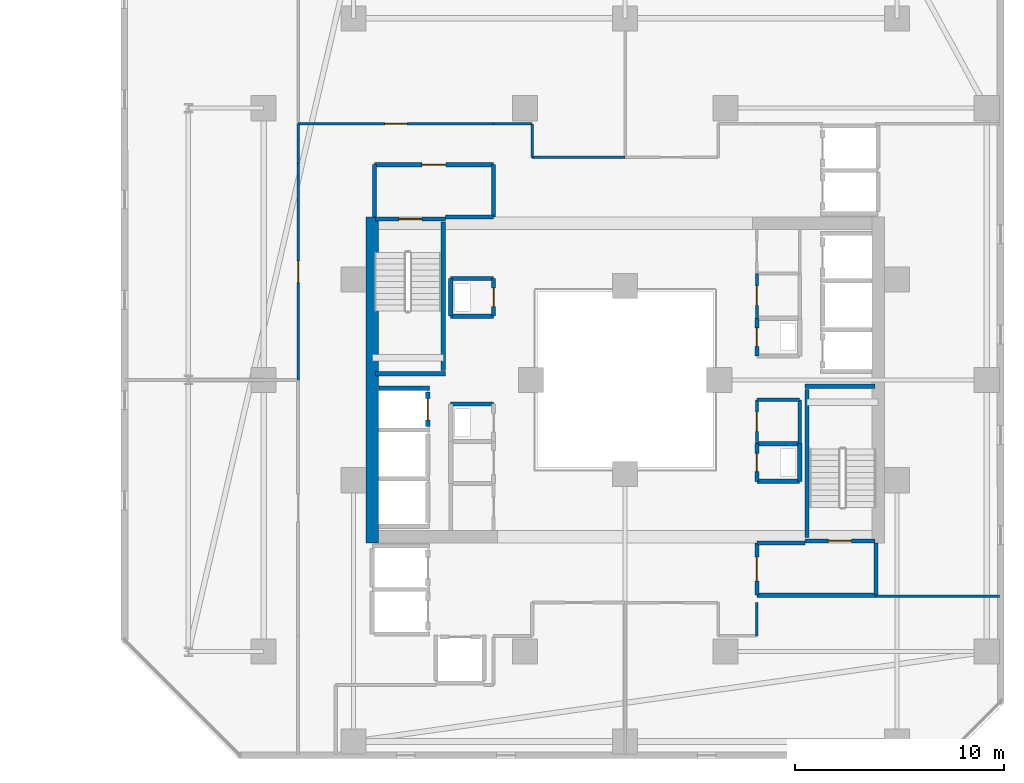
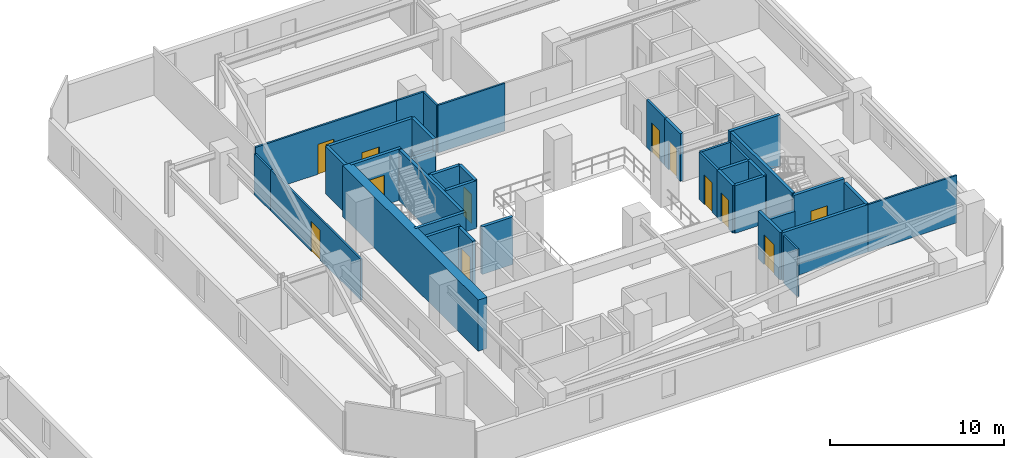
# One storey, part 21 of 29: 39 walls, 12 doors, 12 openings.
"""IFC4 building model written with IfcOpenShell, lengths in metres."""

from ifc_helpers import new_model, si_unit, direction, frame, frame_2d, origin, place, context, subcontext, project, spatial, rectangle, extrude, material, layer, layer_set, type_object, element, fill, save


model = new_model("IFC4")

# Units and contexts
model_context = context("Model", 3, precision=1e-05, world=origin(), true_north=direction((0.0, 1.0)))
body_context = subcontext(model_context, "Body", "Model", "MODEL_VIEW")
ifc_project = project(units=[si_unit("LENGTHUNIT", "METRE"), si_unit("AREAUNIT", "SQUARE_METRE"), si_unit("VOLUMEUNIT", "CUBIC_METRE"), si_unit("PLANEANGLEUNIT", "RADIAN"), si_unit("MASSUNIT", "GRAM", prefix="KILO")], contexts=[model_context])

# Site, building, storey
site_placement = place(None, origin())
site = spatial("IfcSite", under=ifc_project, at=site_placement, CompositionType="ELEMENT")
building_placement = place(site_placement, origin())
building = spatial("IfcBuilding", under=site, at=building_placement, Name="Thornwick Lancets Civic Towers", CompositionType="ELEMENT")
storey_placement = place(building_placement, frame((0.0, 0.0, 83.699951171875)))
storey = spatial("IfcBuildingStorey", under=building, at=storey_placement, Name="L21", CompositionType="ELEMENT", Elevation=83.699951171875)

# Wall, opening, door
ifc_material_1 = material(Name="Concrete blockwork C40/50", Category="masonry")
ifc_layer_1 = layer(ifc_material_1, 0.199951171875, Name="Concrete blockwork C40/50")
ifc_layer_set_1 = layer_set([ifc_layer_1], Name="Concrete blockwork C40/50")
wall_type_1 = type_object("IfcWallType", Name="WALL_COMP_200", PredefinedType="STANDARD", material=ifc_layer_set_1)
wall_1_placement = place(storey_placement, frame((79.050048828125, 24.780029296875, 0.0), z_axis=(0.0, 0.0, 1.0), x_axis=(0.0, 1.0, 0.0)))
wall_1 = element("IfcWall", 1, at=wall_1_placement, inside=storey, type_object=wall_type_1, Name="L21 Hoistway Front Wall FL-B2", PredefinedType="STANDARD", context=body_context, shape_type="SweptSolid", body=[
    extrude(rectangle(XDim=1.639892578125, YDim=0.199951171875, at=frame_2d((0.81982421875, 0.0))), origin(), (0.0, 0.0, 1.0), 3.340087890625),
])
opening_1_placement = place(wall_1_placement, frame((0.31005859375, 0.0, 0.0)))
opening_1 = element("IfcOpeningElement", 2, at=opening_1_placement, cuts=wall_1, Name="Opening LD-FL-B2", PredefinedType="OPENING", context=body_context, shape_type="SweptSolid", body=[
    extrude(rectangle(XDim=1.02001953125, YDim=2.06005859375, at=frame_2d((0.510009765625, 1.030029296875))), frame((0.0, 0.10986328125, 0.0), z_axis=(0.0, -1.0, 0.0), x_axis=(1.0, 0.0, 0.0)), (0.0, 0.0, 1.0), 0.219970703125),
])
ifc_material_2 = material(Name="Brushed bronze stainless steel", Category="steel")
door_type_1 = type_object("IfcDoorType", Name="DOOR_LIFT_SLIDE", OperationType="SLIDING_TO_LEFT", PredefinedType="DOOR", material=ifc_material_2)
door_1_placement = place(opening_1_placement, origin())
door_1 = element("IfcDoor", 3, at=door_1_placement, inside=storey, type_object=door_type_1, Name="L21 Sliding Lift Landing Door LD-FL-B2", OperationType="SLIDING_TO_LEFT", OverallHeight=2.06005859375, OverallWidth=1.02001953125, PredefinedType="DOOR", context=body_context, shape_type="SweptSolid", body=[
    extrude(rectangle(XDim=1.02001953125, YDim=2.06005859375, at=frame_2d((0.510009765625, 1.030029296875))), frame((0.0, 0.02490234375, 0.0), z_axis=(0.0, -1.0, 0.0), x_axis=(1.0, 0.0, 0.0)), (0.0, 0.0, 1.0), 0.050048828125),
])
fill(opening_1, door_1)

# Walls
wall_2_placement = place(storey_placement, frame((76.7119140625, 26.60009765625, 0.0), z_axis=(0.0, 0.0, 1.0), x_axis=(1.0, 0.0, 0.0)))
element("IfcWall", 4, at=wall_2_placement, inside=storey, type_object=wall_type_1, Name="L21 Hoistway Shaft Wall FL-B2 N", PredefinedType="STANDARD", context=body_context, shape_type="SweptSolid", body=[
    extrude(rectangle(XDim=2.43603515625, YDim=0.199951171875, at=frame_2d((1.218017578125, 0.0))), origin(), (0.0, 0.0, 1.0), 3.340087890625),
])
wall_3_placement = place(storey_placement, frame((94.800048828125, 16.699951171875, 0.0), z_axis=(0.0, 0.0, 1.0), x_axis=(1.0, 0.0, 0.0)))
element("IfcWall", 5, at=wall_3_placement, inside=storey, type_object=wall_type_1, Name="L21 Partition L21-B-FFLOB1 E1", PredefinedType="STANDARD", context=body_context, shape_type="SweptSolid", body=[
    extrude(rectangle(XDim=5.699951171875, YDim=0.199951171875, at=frame_2d((2.85009765625, 0.0))), origin(), (0.0, 0.0, 1.0), 3.340087890625),
])
wall_4_placement = place(storey_placement, frame((100.5, 16.699951171875, 0.0), z_axis=(0.0, 0.0, 1.0), x_axis=(0.0, 1.0, 0.0)))
element("IfcWall", 6, at=wall_4_placement, inside=storey, type_object=wall_type_1, Name="L21 Partition L21-B-FFLOB1 E2", PredefinedType="STANDARD", context=body_context, shape_type="SweptSolid", body=[
    extrude(rectangle(XDim=2.5, YDim=0.199951171875, at=frame_2d((1.25, 0.0))), origin(), (0.0, 0.0, 1.0), 3.340087890625),
])
wall_5_placement = place(storey_placement, frame((97.10009765625, 19.199951171875, 0.0), z_axis=(0.0, 0.0, 1.0), x_axis=(-1.0, 0.0, 0.0)))
element("IfcWall", 7, at=wall_5_placement, inside=storey, type_object=wall_type_1, Name="L21 Partition L21-B-FFLOB1 E3", PredefinedType="STANDARD", context=body_context, shape_type="SweptSolid", body=[
    extrude(rectangle(XDim=2.300048828125, YDim=0.199951171875, at=frame_2d((1.14990234375, 0.0))), origin(), (0.0, 0.0, 1.0), 2.545166015625),
])

# Wall, opening, door
wall_6_placement = place(storey_placement, frame((94.800048828125, 19.199951171875, 0.0), z_axis=(0.0, 0.0, 1.0), x_axis=(0.0, -1.0, 0.0)))
wall_6 = element("IfcWall", 8, at=wall_6_placement, inside=storey, type_object=wall_type_1, Name="L21 Partition L21-B-FFLOB1 E4", PredefinedType="STANDARD", context=body_context, shape_type="SweptSolid", body=[
    extrude(rectangle(XDim=2.5, YDim=0.199951171875, at=frame_2d((1.25, 0.0))), origin(), (0.0, 0.0, 1.0), 3.340087890625),
])
opening_2_placement = place(wall_6_placement, frame((0.675048828125, 0.0, 0.0)))
opening_2 = element("IfcOpeningElement", 9, at=opening_2_placement, cuts=wall_6, Name="Opening D-L21-0980", PredefinedType="OPENING", context=body_context, shape_type="SweptSolid", body=[
    extrude(rectangle(XDim=1.14990234375, YDim=2.10009765625, at=frame_2d((0.574951171875, 1.050048828125))), frame((0.0, 0.10986328125, 0.0), z_axis=(0.0, -1.0, 0.0), x_axis=(1.0, 0.0, 0.0)), (0.0, 0.0, 1.0), 0.219970703125),
])
ifc_material_3 = material(Name="Glazed fire-resisting steel", Category="steel")
door_type_2 = type_object("IfcDoorType", Name="DOOR_LOBBY_FD60", OperationType="NOTDEFINED", PredefinedType="DOOR", material=ifc_material_3)
door_2_placement = place(opening_2_placement, origin())
door_2 = element("IfcDoor", 10, at=door_2_placement, inside=storey, type_object=door_type_2, Name="L21 East Firefighting Lobby 1 Door", OperationType="SINGLE_SWING_LEFT", OverallHeight=2.10009765625, OverallWidth=1.14990234375, PredefinedType="DOOR", context=body_context, shape_type="SweptSolid", body=[
    extrude(rectangle(XDim=1.14990234375, YDim=2.10009765625, at=frame_2d((0.574951171875, 1.050048828125))), frame((0.0, 0.02490234375, 0.0), z_axis=(0.0, -1.0, 0.0), x_axis=(1.0, 0.0, 0.0)), (0.0, 0.0, 1.0), 0.050048828125),
])
fill(opening_2, door_2)

# Walls
wall_7_placement = place(storey_placement, frame((79.89990234375, 34.800048828125, 0.0), z_axis=(0.0, 0.0, 1.0), x_axis=(1.0, 0.0, 0.0)))
element("IfcWall", 11, at=wall_7_placement, inside=storey, type_object=wall_type_1, Name="L21 Partition L21-B-FFLOB2 E1", PredefinedType="STANDARD", context=body_context, shape_type="SweptSolid", body=[
    extrude(rectangle(XDim=2.300048828125, YDim=0.199951171875, at=frame_2d((1.14990234375, 0.0))), origin(), (0.0, 0.0, 1.0), 2.545166015625),
])
wall_8_placement = place(storey_placement, frame((82.199951171875, 34.800048828125, 0.0), z_axis=(0.0, 0.0, 1.0), x_axis=(0.0, 1.0, 0.0)))
element("IfcWall", 12, at=wall_8_placement, inside=storey, type_object=wall_type_1, Name="L21 Partition L21-B-FFLOB2 E2", PredefinedType="STANDARD", context=body_context, shape_type="SweptSolid", body=[
    extrude(rectangle(XDim=2.5, YDim=0.199951171875, at=frame_2d((1.25, 0.0))), origin(), (0.0, 0.0, 1.0), 3.340087890625),
])

# Wall, opening, door
wall_9_placement = place(storey_placement, frame((82.199951171875, 37.300048828125, 0.0), z_axis=(0.0, 0.0, 1.0), x_axis=(-1.0, 0.0, 0.0)))
wall_9 = element("IfcWall", 13, at=wall_9_placement, inside=storey, type_object=wall_type_1, Name="L21 Partition L21-B-FFLOB2 E3", PredefinedType="STANDARD", context=body_context, shape_type="SweptSolid", body=[
    extrude(rectangle(XDim=5.699951171875, YDim=0.199951171875, at=frame_2d((2.85009765625, 0.0))), origin(), (0.0, 0.0, 1.0), 3.340087890625),
])
opening_3_placement = place(wall_9_placement, frame((2.27490234375, 0.0, 0.0)))
opening_3 = element("IfcOpeningElement", 14, at=opening_3_placement, cuts=wall_9, Name="Opening D-L21-0981", PredefinedType="OPENING", context=body_context, shape_type="SweptSolid", body=[
    extrude(rectangle(XDim=1.14990234375, YDim=2.10009765625, at=frame_2d((0.574951171875, 1.050048828125))), frame((0.0, 0.10986328125, 0.0), z_axis=(0.0, -1.0, 0.0), x_axis=(1.0, 0.0, 0.0)), (0.0, 0.0, 1.0), 0.219970703125),
])
door_3_placement = place(opening_3_placement, origin())
door_3 = element("IfcDoor", 15, at=door_3_placement, inside=storey, type_object=door_type_2, Name="L21 West Firefighting Lobby 2 Door", OperationType="SINGLE_SWING_RIGHT", OverallHeight=2.10009765625, OverallWidth=1.14990234375, PredefinedType="DOOR", context=body_context, shape_type="SweptSolid", body=[
    extrude(rectangle(XDim=1.14990234375, YDim=2.10009765625, at=frame_2d((0.574951171875, 1.050048828125))), frame((0.0, 0.02490234375, 0.0), z_axis=(0.0, -1.0, 0.0), x_axis=(1.0, 0.0, 0.0)), (0.0, 0.0, 1.0), 0.050048828125),
])
fill(opening_3, door_3)

# Wall
wall_10_placement = place(storey_placement, frame((76.5, 37.300048828125, 0.0), z_axis=(0.0, 0.0, 1.0), x_axis=(0.0, -1.0, 0.0)))
element("IfcWall", 16, at=wall_10_placement, inside=storey, type_object=wall_type_1, Name="L21 Partition L21-B-FFLOB2 E4", PredefinedType="STANDARD", context=body_context, shape_type="SweptSolid", body=[
    extrude(rectangle(XDim=2.5, YDim=0.199951171875, at=frame_2d((1.25, 0.0))), origin(), (0.0, 0.0, 1.0), 3.340087890625),
])

# Wall, opening, door
wall_11_placement = place(storey_placement, frame((94.800048828125, 29.949951171875, 0.0), z_axis=(0.0, 0.0, 1.0), x_axis=(0.0, -1.0, 0.0)))
wall_11 = element("IfcWall", 17, at=wall_11_placement, inside=storey, type_object=wall_type_1, Name="L21 Partition L21-B-DUCT1 E4", PredefinedType="STANDARD", context=body_context, shape_type="SweptSolid", body=[
    extrude(rectangle(XDim=1.800048828125, YDim=0.199951171875, at=frame_2d((0.89990234375, 0.0))), origin(), (0.0, 0.0, 1.0), 3.340087890625),
])
opening_4_placement = place(wall_11_placement, frame((0.4599609375, 0.0, 0.0)))
opening_4 = element("IfcOpeningElement", 18, at=opening_4_placement, cuts=wall_11, Name="Opening D-L21-0982", PredefinedType="OPENING", context=body_context, shape_type="SweptSolid", body=[
    extrude(rectangle(XDim=0.8798828125, YDim=2.0400390625, at=frame_2d((0.43994140625, 1.02001953125))), frame((0.0, 0.10986328125, 0.0), z_axis=(0.0, -1.0, 0.0), x_axis=(1.0, 0.0, 0.0)), (0.0, 0.0, 1.0), 0.219970703125),
])
ifc_material_4 = material(Name="Steel riser access doorset", Category="steel")
door_type_3 = type_object("IfcDoorType", Name="DOOR_RISER_850", OperationType="NOTDEFINED", PredefinedType="DOOR", material=ifc_material_4)
door_4_placement = place(opening_4_placement, origin())
door_4 = element("IfcDoor", 19, at=door_4_placement, inside=storey, type_object=door_type_3, Name="L21 East Service Duct 1 Door", OperationType="SINGLE_SWING_LEFT", OverallHeight=2.0400390625, OverallWidth=0.8798828125, PredefinedType="DOOR", context=body_context, shape_type="SweptSolid", body=[
    extrude(rectangle(XDim=0.8798828125, YDim=2.0400390625, at=frame_2d((0.43994140625, 1.02001953125))), frame((0.0, 0.02490234375, 0.0), z_axis=(0.0, -1.0, 0.0), x_axis=(1.0, 0.0, 0.0)), (0.0, 0.0, 1.0), 0.050048828125),
])
fill(opening_4, door_4)

# Walls
wall_12_placement = place(storey_placement, frame((94.800048828125, 22.14990234375, 0.0), z_axis=(0.0, 0.0, 1.0), x_axis=(1.0, 0.0, 0.0)))
element("IfcWall", 20, at=wall_12_placement, inside=storey, type_object=wall_type_1, Name="L21 Partition L21-B-RISER1 E1", PredefinedType="STANDARD", context=body_context, shape_type="SweptSolid", body=[
    extrude(rectangle(XDim=2.050048828125, YDim=0.199951171875, at=frame_2d((1.02490234375, 0.0))), origin(), (0.0, 0.0, 1.0), 3.340087890625),
])
wall_13_placement = place(storey_placement, frame((96.85009765625, 22.14990234375, 0.0), z_axis=(0.0, 0.0, 1.0), x_axis=(0.0, 1.0, 0.0)))
element("IfcWall", 21, at=wall_13_placement, inside=storey, type_object=wall_type_1, Name="L21 Partition L21-B-RISER1 E2", PredefinedType="STANDARD", context=body_context, shape_type="SweptSolid", body=[
    extrude(rectangle(XDim=1.800048828125, YDim=0.199951171875, at=frame_2d((0.89990234375, 0.0))), origin(), (0.0, 0.0, 1.0), 3.340087890625),
])
wall_14_placement = place(storey_placement, frame((96.85009765625, 23.949951171875, 0.0), z_axis=(0.0, 0.0, 1.0), x_axis=(-1.0, 0.0, 0.0)))
element("IfcWall", 22, at=wall_14_placement, inside=storey, type_object=wall_type_1, Name="L21 Partition L21-B-RISER1 E3", PredefinedType="STANDARD", context=body_context, shape_type="SweptSolid", body=[
    extrude(rectangle(XDim=2.050048828125, YDim=0.199951171875, at=frame_2d((1.02490234375, 0.0))), origin(), (0.0, 0.0, 1.0), 3.340087890625),
])

# Wall, opening, door
wall_15_placement = place(storey_placement, frame((94.800048828125, 23.949951171875, 0.0), z_axis=(0.0, 0.0, 1.0), x_axis=(0.0, -1.0, 0.0)))
wall_15 = element("IfcWall", 23, at=wall_15_placement, inside=storey, type_object=wall_type_1, Name="L21 Partition L21-B-RISER1 E4", PredefinedType="STANDARD", context=body_context, shape_type="SweptSolid", body=[
    extrude(rectangle(XDim=1.800048828125, YDim=0.199951171875, at=frame_2d((0.89990234375, 0.0))), origin(), (0.0, 0.0, 1.0), 3.340087890625),
])
opening_5_placement = place(wall_15_placement, frame((0.4599609375, 0.0, 0.0)))
opening_5 = element("IfcOpeningElement", 24, at=opening_5_placement, cuts=wall_15, Name="Opening D-L21-0983", PredefinedType="OPENING", context=body_context, shape_type="SweptSolid", body=[
    extrude(rectangle(XDim=0.8798828125, YDim=2.0400390625, at=frame_2d((0.43994140625, 1.02001953125))), frame((0.0, 0.10986328125, 0.0), z_axis=(0.0, -1.0, 0.0), x_axis=(1.0, 0.0, 0.0)), (0.0, 0.0, 1.0), 0.219970703125),
])
door_5_placement = place(opening_5_placement, origin())
door_5 = element("IfcDoor", 25, at=door_5_placement, inside=storey, type_object=door_type_3, Name="L21 East Electrical Riser 1 Door", OperationType="SINGLE_SWING_RIGHT", OverallHeight=2.0400390625, OverallWidth=0.8798828125, PredefinedType="DOOR", context=body_context, shape_type="SweptSolid", body=[
    extrude(rectangle(XDim=0.8798828125, YDim=2.0400390625, at=frame_2d((0.43994140625, 1.02001953125))), frame((0.0, 0.02490234375, 0.0), z_axis=(0.0, -1.0, 0.0), x_axis=(1.0, 0.0, 0.0)), (0.0, 0.0, 1.0), 0.050048828125),
])
fill(opening_5, door_5)

# Walls
for number, where, z_axis, x_axis, name in (
    (26, (82.199951171875, 25.85009765625, 0.0), (0.0, 0.0, 1.0), (-1.0, 0.0, 0.0), "L21 Partition L21-B-DUCT2 E3"),
    (27, (80.14990234375, 30.050048828125, 0.0), (0.0, 0.0, 1.0), (1.0, 0.0, 0.0), "L21 Partition L21-B-RISER2 E1"),
):
    element("IfcWall", number, at=place(storey_placement, frame(where, z_axis=z_axis, x_axis=x_axis)), inside=storey, type_object=wall_type_1, Name=name, PredefinedType="STANDARD", context=body_context, shape_type="SweptSolid", body=[
        extrude(rectangle(XDim=2.050048828125, YDim=0.199951171875, at=frame_2d((1.02490234375, 0.0))), origin(), (0.0, 0.0, 1.0), 3.340087890625),
    ])

# Wall, opening, door
wall_16_placement = place(storey_placement, frame((82.199951171875, 30.050048828125, 0.0), z_axis=(0.0, 0.0, 1.0), x_axis=(0.0, 1.0, 0.0)))
wall_16 = element("IfcWall", 28, at=wall_16_placement, inside=storey, type_object=wall_type_1, Name="L21 Partition L21-B-RISER2 E2", PredefinedType="STANDARD", context=body_context, shape_type="SweptSolid", body=[
    extrude(rectangle(XDim=1.800048828125, YDim=0.199951171875, at=frame_2d((0.89990234375, 0.0))), origin(), (0.0, 0.0, 1.0), 3.340087890625),
])
opening_6_placement = place(wall_16_placement, frame((0.4599609375, 0.0, 0.0)))
opening_6 = element("IfcOpeningElement", 29, at=opening_6_placement, cuts=wall_16, Name="Opening D-L21-0985", PredefinedType="OPENING", context=body_context, shape_type="SweptSolid", body=[
    extrude(rectangle(XDim=0.8798828125, YDim=2.0400390625, at=frame_2d((0.43994140625, 1.02001953125))), frame((0.0, 0.10986328125, 0.0), z_axis=(0.0, -1.0, 0.0), x_axis=(1.0, 0.0, 0.0)), (0.0, 0.0, 1.0), 0.219970703125),
])
door_6_placement = place(opening_6_placement, origin())
door_6 = element("IfcDoor", 30, at=door_6_placement, inside=storey, type_object=door_type_3, Name="L21 West Service Riser 2 Door", OperationType="SINGLE_SWING_RIGHT", OverallHeight=2.0400390625, OverallWidth=0.8798828125, PredefinedType="DOOR", context=body_context, shape_type="SweptSolid", body=[
    extrude(rectangle(XDim=0.8798828125, YDim=2.0400390625, at=frame_2d((0.43994140625, 1.02001953125))), frame((0.0, 0.02490234375, 0.0), z_axis=(0.0, -1.0, 0.0), x_axis=(1.0, 0.0, 0.0)), (0.0, 0.0, 1.0), 0.050048828125),
])
fill(opening_6, door_6)

# Walls
wall_17_placement = place(storey_placement, frame((82.199951171875, 31.85009765625, 0.0), z_axis=(0.0, 0.0, 1.0), x_axis=(-1.0, 0.0, 0.0)))
element("IfcWall", 31, at=wall_17_placement, inside=storey, type_object=wall_type_1, Name="L21 Partition L21-B-RISER2 E3", PredefinedType="STANDARD", context=body_context, shape_type="SweptSolid", body=[
    extrude(rectangle(XDim=2.050048828125, YDim=0.199951171875, at=frame_2d((1.02490234375, 0.0))), origin(), (0.0, 0.0, 1.0), 3.340087890625),
])
wall_18_placement = place(storey_placement, frame((80.14990234375, 31.85009765625, 0.0), z_axis=(0.0, 0.0, 1.0), x_axis=(0.0, -1.0, 0.0)))
element("IfcWall", 32, at=wall_18_placement, inside=storey, type_object=wall_type_1, Name="L21 Partition L21-B-RISER2 E4", PredefinedType="STANDARD", context=body_context, shape_type="SweptSolid", body=[
    extrude(rectangle(XDim=1.800048828125, YDim=0.199951171875, at=frame_2d((0.89990234375, 0.0))), origin(), (0.0, 0.0, 1.0), 3.340087890625),
])
ifc_material_5 = material(Name="Concrete C60/75", Category="concrete")
ifc_layer_2 = layer(ifc_material_5, 0.60009765625, Name="Concrete C60/75")
ifc_layer_set_2 = layer_set([ifc_layer_2], Name="Concrete C60/75")
wall_type_2 = type_object("IfcWallType", Name="WALL_CORE_600", PredefinedType="SHEAR", material=ifc_layer_set_2)
wall_19_placement = place(storey_placement, frame((76.39990234375, 19.199951171875, 0.0), z_axis=(0.0, 0.0, 1.0), x_axis=(0.0, 1.0, 0.0)))
element("IfcWall", 33, at=wall_19_placement, inside=storey, type_object=wall_type_2, Name="L21 Split Core B2 Shear Wall W", PredefinedType="SHEAR", context=body_context, shape_type="SweptSolid", body=[
    extrude(rectangle(XDim=15.60009765625, YDim=0.60009765625, at=frame_2d((7.800048828125, 0.0))), origin(), (0.0, 0.0, 1.0), 3.60009765625),
])
ifc_material_6 = material(Name="Acoustic gypsum board partition")
ifc_layer_3 = layer(ifc_material_6, 0.1201171875, Name="Acoustic gypsum board partition")
ifc_layer_set_3 = layer_set([ifc_layer_3], Name="Acoustic gypsum board partition")
wall_type_3 = type_object("IfcWallType", Name="WALL_PART_120", PredefinedType="PARTITIONING", material=ifc_layer_set_3)
wall_20_placement = place(storey_placement, frame((94.800048828125, 14.75, 0.0), z_axis=(0.0, 0.0, 1.0), x_axis=(0.0, 1.0, 0.0)))
element("IfcWall", 34, at=wall_20_placement, inside=storey, type_object=wall_type_3, Name="L21 Partition L21-B-W1 E3", PredefinedType="PARTITIONING", context=body_context, shape_type="SweptSolid", body=[
    extrude(rectangle(XDim=1.60009765625, YDim=0.1201171875, at=frame_2d((0.800048828125, 0.0))), origin(), (0.0, 0.0, 1.0), 3.340087890625),
])
wall_21_placement = place(storey_placement, frame((100.5, 16.64990234375, 0.0), z_axis=(0.0, 0.0, 1.0), x_axis=(1.0, 0.0, 0.0)))
element("IfcWall", 35, at=wall_21_placement, inside=storey, type_object=wall_type_3, Name="L21 Partition L21-B-W1 E5", PredefinedType="PARTITIONING", context=body_context, shape_type="SweptSolid", body=[
    extrude(rectangle(XDim=5.919921875, YDim=0.1201171875, at=frame_2d((2.9599609375, 0.0))), origin(), (0.0, 0.0, 1.0), 3.340087890625),
])
wall_22_placement = place(storey_placement, frame((84.050048828125, 37.64990234375, 0.0), z_axis=(0.0, 0.0, 1.0), x_axis=(0.0, 1.0, 0.0)))
element("IfcWall", 36, at=wall_22_placement, inside=storey, type_object=wall_type_3, Name="L21 Partition L21-B-E2 E1", PredefinedType="PARTITIONING", context=body_context, shape_type="SweptSolid", body=[
    extrude(rectangle(XDim=1.60009765625, YDim=0.1201171875, at=frame_2d((0.800048828125, 0.0))), origin(), (0.0, 0.0, 1.0), 3.340087890625),
])
wall_23_placement = place(storey_placement, frame((84.050048828125, 39.25, 0.0), z_axis=(0.0, 0.0, 1.0), x_axis=(-1.0, 0.0, 0.0)))
element("IfcWall", 37, at=wall_23_placement, inside=storey, type_object=wall_type_3, Name="L21 Partition L21-B-E2 E2", PredefinedType="PARTITIONING", context=body_context, shape_type="SweptSolid", body=[
    extrude(rectangle(XDim=1.85009765625, YDim=0.1201171875, at=frame_2d((0.925048828125, 0.0))), origin(), (0.0, 0.0, 1.0), 3.340087890625),
])

# Wall, opening, door
wall_24_placement = place(storey_placement, frame((82.199951171875, 39.25, 0.0), z_axis=(0.0, 0.0, 1.0), x_axis=(-1.0, 0.0, 0.0)))
wall_24 = element("IfcWall", 38, at=wall_24_placement, inside=storey, type_object=wall_type_3, Name="L21 Partition L21-B-E2 E3", PredefinedType="PARTITIONING", context=body_context, shape_type="SweptSolid", body=[
    extrude(rectangle(XDim=9.349853515625, YDim=0.1201171875, at=frame_2d((4.6748046875, 0.0))), origin(), (0.0, 0.0, 1.0), 3.340087890625),
])
opening_7_placement = place(wall_24_placement, frame((4.14990234375, 0.0, 0.0)))
opening_7 = element("IfcOpeningElement", 39, at=opening_7_placement, cuts=wall_24, Name="Opening D-L21-1000", PredefinedType="OPENING", context=body_context, shape_type="SweptSolid", body=[
    extrude(rectangle(XDim=1.050048828125, YDim=2.10009765625, at=frame_2d((0.52490234375, 1.050048828125))), frame((0.0, 0.070068359375, 0.0), z_axis=(0.0, -1.0, 0.0), x_axis=(1.0, 0.0, 0.0)), (0.0, 0.0, 1.0), 0.14013671875),
])
ifc_material_7 = material(Name="Glazed European oak executive doorset")
door_type_4 = type_object("IfcDoorType", Name="DOOR_OFFICE_1050", OperationType="NOTDEFINED", PredefinedType="DOOR", material=ifc_material_7)
door_7_placement = place(opening_7_placement, origin())
door_7 = element("IfcDoor", 40, at=door_7_placement, inside=storey, type_object=door_type_4, Name="L21 Tower B Visitors Reception and Waiting Door", OperationType="SINGLE_SWING_LEFT", OverallHeight=2.10009765625, OverallWidth=1.050048828125, PredefinedType="DOOR", context=body_context, shape_type="SweptSolid", body=[
    extrude(rectangle(XDim=1.050048828125, YDim=2.10009765625, at=frame_2d((0.52490234375, 1.050048828125))), frame((0.0, 0.02490234375, 0.0), z_axis=(0.0, -1.0, 0.0), x_axis=(1.0, 0.0, 0.0)), (0.0, 0.0, 1.0), 0.050048828125),
])
fill(opening_7, door_7)

# Walls
wall_25_placement = place(storey_placement, frame((88.5, 37.64990234375, 0.0), z_axis=(0.0, 0.0, 1.0), x_axis=(-1.0, 0.0, 0.0)))
element("IfcWall", 41, at=wall_25_placement, inside=storey, type_object=wall_type_3, Name="L21 Partition L21-B-E2 E7", PredefinedType="PARTITIONING", context=body_context, shape_type="SweptSolid", body=[
    extrude(rectangle(XDim=4.449951171875, YDim=0.1201171875, at=frame_2d((2.22509765625, 0.0))), origin(), (0.0, 0.0, 1.0), 3.340087890625),
])
wall_26_placement = place(storey_placement, frame((72.85009765625, 39.25, 0.0), z_axis=(0.0, 0.0, 1.0), x_axis=(0.0, -1.0, 0.0)))
element("IfcWall", 42, at=wall_26_placement, inside=storey, type_object=wall_type_3, Name="L21 Partition L21-B-N-OFF E5", PredefinedType="PARTITIONING", context=body_context, shape_type="SweptSolid", body=[
    extrude(rectangle(XDim=1.89990234375, YDim=0.1201171875, at=frame_2d((0.949951171875, 0.0))), origin(), (0.0, 0.0, 1.0), 2.89501953125),
])

# Wall, opening, door
wall_27_placement = place(storey_placement, frame((72.85009765625, 37.35009765625, 0.0), z_axis=(0.0, 0.0, 1.0), x_axis=(0.0, -1.0, 0.0)))
wall_27 = element("IfcWall", 43, at=wall_27_placement, inside=storey, type_object=wall_type_3, Name="L21 Partition L21-B-N-OFF E6", PredefinedType="PARTITIONING", context=body_context, shape_type="SweptSolid", body=[
    extrude(rectangle(XDim=10.35009765625, YDim=0.1201171875, at=frame_2d((5.175048828125, 0.0))), origin(), (0.0, 0.0, 1.0), 2.89501953125),
])
opening_8_placement = place(wall_27_placement, frame((4.64990234375, 0.0, 0.0)))
opening_8 = element("IfcOpeningElement", 44, at=opening_8_placement, cuts=wall_27, Name="Opening D-L21-1002", PredefinedType="OPENING", context=body_context, shape_type="SweptSolid", body=[
    extrude(rectangle(XDim=1.050048828125, YDim=2.10009765625, at=frame_2d((0.52490234375, 1.050048828125))), frame((0.0, 0.070068359375, 0.0), z_axis=(0.0, -1.0, 0.0), x_axis=(1.0, 0.0, 0.0)), (0.0, 0.0, 1.0), 0.14013671875),
])
door_8_placement = place(opening_8_placement, origin())
door_8 = element("IfcDoor", 45, at=door_8_placement, inside=storey, type_object=door_type_4, Name="L21 Tower B North Policy Office Door", OperationType="SINGLE_SWING_LEFT", OverallHeight=2.10009765625, OverallWidth=1.050048828125, PredefinedType="DOOR", context=body_context, shape_type="SweptSolid", body=[
    extrude(rectangle(XDim=1.050048828125, YDim=2.10009765625, at=frame_2d((0.52490234375, 1.050048828125))), frame((0.0, 0.02490234375, 0.0), z_axis=(0.0, -1.0, 0.0), x_axis=(1.0, 0.0, 0.0)), (0.0, 0.0, 1.0), 0.050048828125),
])
fill(opening_8, door_8)

ifc_material_8 = material(Name="Twin-stud acoustic gypsum board")
ifc_layer_4 = layer(ifc_material_8, 0.14990234375, Name="Twin-stud acoustic gypsum board")
ifc_layer_set_4 = layer_set([ifc_layer_4], Name="Twin-stud acoustic gypsum board")
wall_type_4 = type_object("IfcWallType", Name="WALL_PART_150", PredefinedType="PARTITIONING", material=ifc_layer_set_4)
wall_28_placement = place(storey_placement, frame((94.800048828125, 23.949951171875, 0.0), z_axis=(0.0, 0.0, 1.0), x_axis=(0.0, 1.0, 0.0)))
wall_28 = element("IfcWall", 46, at=wall_28_placement, inside=storey, type_object=wall_type_4, Name="L21 Partition L21-B-MWC E1", PredefinedType="PARTITIONING", context=body_context, shape_type="SweptSolid", body=[
    extrude(rectangle(XDim=2.10009765625, YDim=0.14990234375, at=frame_2d((1.050048828125, 0.0))), origin(), (0.0, 0.0, 1.0), 3.340087890625),
])
opening_9_placement = place(wall_28_placement, frame((0.590087890625, 0.0, 0.0)))
opening_9 = element("IfcOpeningElement", 47, at=opening_9_placement, cuts=wall_28, Name="Opening D-L21-0986", PredefinedType="OPENING", context=body_context, shape_type="SweptSolid", body=[
    extrude(rectangle(XDim=0.919921875, YDim=2.080078125, at=frame_2d((0.4599609375, 1.0400390625))), frame((0.0, 0.0849609375, 0.0), z_axis=(0.0, -1.0, 0.0), x_axis=(1.0, 0.0, 0.0)), (0.0, 0.0, 1.0), 0.169921875),
])
ifc_material_9 = material(Name="Moisture-resistant oak doorset")
door_type_5 = type_object("IfcDoorType", Name="DOOR_WC_900", OperationType="NOTDEFINED", PredefinedType="DOOR", material=ifc_material_9)
door_9_placement = place(opening_9_placement, origin())
door_9 = element("IfcDoor", 48, at=door_9_placement, inside=storey, type_object=door_type_5, Name="L21 Tower B Male WC Door", OperationType="SINGLE_SWING_LEFT", OverallHeight=2.080078125, OverallWidth=0.919921875, PredefinedType="DOOR", context=body_context, shape_type="SweptSolid", body=[
    extrude(rectangle(XDim=0.919921875, YDim=2.080078125, at=frame_2d((0.4599609375, 1.0400390625))), frame((0.0, 0.02490234375, 0.0), z_axis=(0.0, -1.0, 0.0), x_axis=(1.0, 0.0, 0.0)), (0.0, 0.0, 1.0), 0.050048828125),
])
fill(opening_9, door_9)

# Walls
wall_29_placement = place(storey_placement, frame((94.800048828125, 26.050048828125, 0.0), z_axis=(0.0, 0.0, 1.0), x_axis=(1.0, 0.0, 0.0)))
element("IfcWall", 49, at=wall_29_placement, inside=storey, type_object=wall_type_4, Name="L21 Partition L21-B-MWC E2", PredefinedType="PARTITIONING", context=body_context, shape_type="SweptSolid", body=[
    extrude(rectangle(XDim=2.050048828125, YDim=0.14990234375, at=frame_2d((1.02490234375, 0.0))), origin(), (0.0, 0.0, 1.0), 3.340087890625),
])
wall_30_placement = place(storey_placement, frame((96.85009765625, 26.050048828125, 0.0), z_axis=(0.0, 0.0, 1.0), x_axis=(0.0, -1.0, 0.0)))
element("IfcWall", 50, at=wall_30_placement, inside=storey, type_object=wall_type_4, Name="L21 Partition L21-B-MWC E3", PredefinedType="PARTITIONING", context=body_context, shape_type="SweptSolid", body=[
    extrude(rectangle(XDim=2.10009765625, YDim=0.14990234375, at=frame_2d((1.050048828125, 0.0))), origin(), (0.0, 0.0, 1.0), 3.340087890625),
])

# Wall, opening, door
wall_31_placement = place(storey_placement, frame((94.800048828125, 29.949951171875, 0.0), z_axis=(0.0, 0.0, 1.0), x_axis=(0.0, 1.0, 0.0)))
wall_31 = element("IfcWall", 51, at=wall_31_placement, inside=storey, type_object=wall_type_4, Name="L21 Partition L21-B-FWC E1", PredefinedType="PARTITIONING", context=body_context, shape_type="SweptSolid", body=[
    extrude(rectangle(XDim=2.150146484375, YDim=0.14990234375, at=frame_2d((1.0751953125, 0.0))), origin(), (0.0, 0.0, 1.0), 3.340087890625),
])
opening_10_placement = place(wall_31_placement, frame((0.614990234375, 0.0, 0.0)))
opening_10 = element("IfcOpeningElement", 52, at=opening_10_placement, cuts=wall_31, Name="Opening D-L21-0987", PredefinedType="OPENING", context=body_context, shape_type="SweptSolid", body=[
    extrude(rectangle(XDim=0.919921875, YDim=2.080078125, at=frame_2d((0.4599609375, 1.0400390625))), frame((0.0, 0.0849609375, 0.0), z_axis=(0.0, -1.0, 0.0), x_axis=(1.0, 0.0, 0.0)), (0.0, 0.0, 1.0), 0.169921875),
])
door_10_placement = place(opening_10_placement, origin())
door_10 = element("IfcDoor", 53, at=door_10_placement, inside=storey, type_object=door_type_5, Name="L21 Tower B Female WC Door", OperationType="SINGLE_SWING_RIGHT", OverallHeight=2.080078125, OverallWidth=0.919921875, PredefinedType="DOOR", context=body_context, shape_type="SweptSolid", body=[
    extrude(rectangle(XDim=0.919921875, YDim=2.080078125, at=frame_2d((0.4599609375, 1.0400390625))), frame((0.0, 0.02490234375, 0.0), z_axis=(0.0, -1.0, 0.0), x_axis=(1.0, 0.0, 0.0)), (0.0, 0.0, 1.0), 0.050048828125),
])
fill(opening_10, door_10)

ifc_material_10 = material(Name="Concrete C40/50", Category="concrete")
ifc_layer_5 = layer(ifc_material_10, 0.199951171875, Name="Concrete C40/50")
ifc_layer_set_5 = layer_set([ifc_layer_5], Name="Concrete C40/50")
wall_type_5 = type_object("IfcWallType", Name="WALL_SHAFT_200", PredefinedType="SHEAR", material=ifc_layer_set_5)
wall_32_placement = place(storey_placement, frame((100.449951171875, 19.300048828125, 0.0), z_axis=(0.0, 0.0, 1.0), x_axis=(-1.0, 0.0, 0.0)))
wall_32 = element("IfcWall", 54, at=wall_32_placement, inside=storey, type_object=wall_type_5, Name="L21 ST-B1 Fire Stair Core Wall NEAR", PredefinedType="SHEAR", context=body_context, shape_type="SweptSolid", body=[
    extrude(rectangle(XDim=3.349853515625, YDim=0.199951171875, at=frame_2d((1.6748046875, 0.0))), origin(), (0.0, 0.0, 1.0), 3.60009765625),
])
opening_11_placement = place(wall_32_placement, frame((1.125, 0.0, 0.0)))
opening_11 = element("IfcOpeningElement", 55, at=opening_11_placement, cuts=wall_32, Name="Opening D-ST-B1-L21", PredefinedType="OPENING", context=body_context, shape_type="SweptSolid", body=[
    extrude(rectangle(XDim=1.10009765625, YDim=2.10009765625, at=frame_2d((0.550048828125, 1.050048828125))), frame((0.0, 0.10986328125, 0.0), z_axis=(0.0, -1.0, 0.0), x_axis=(1.0, 0.0, 0.0)), (0.0, 0.0, 1.0), 0.219970703125),
])
ifc_material_11 = material(Name="Fire-resisting steel and hardwood", Category="steel")
door_type_6 = type_object("IfcDoorType", Name="DOOR_STAIR_FD60", OperationType="NOTDEFINED", PredefinedType="DOOR", material=ifc_material_11)
door_11_placement = place(opening_11_placement, origin())
door_11 = element("IfcDoor", 56, at=door_11_placement, inside=storey, type_object=door_type_6, Name="L21 ST-B1 Exit Stair Door", OperationType="SINGLE_SWING_RIGHT", OverallHeight=2.10009765625, OverallWidth=1.10009765625, PredefinedType="DOOR", context=body_context, shape_type="SweptSolid", body=[
    extrude(rectangle(XDim=1.10009765625, YDim=2.10009765625, at=frame_2d((0.550048828125, 1.050048828125))), frame((0.0, 0.02490234375, 0.0), z_axis=(0.0, -1.0, 0.0), x_axis=(1.0, 0.0, 0.0)), (0.0, 0.0, 1.0), 0.050048828125),
])
fill(opening_11, door_11)

# Walls
wall_33_placement = place(storey_placement, frame((97.10009765625, 26.699951171875, 0.0), z_axis=(0.0, 0.0, 1.0), x_axis=(1.0, 0.0, 0.0)))
element("IfcWall", 57, at=wall_33_placement, inside=storey, type_object=wall_type_5, Name="L21 ST-B1 Fire Stair Core Wall FAR", PredefinedType="SHEAR", context=body_context, shape_type="SweptSolid", body=[
    extrude(rectangle(XDim=3.349853515625, YDim=0.199951171875, at=frame_2d((1.6748046875, 0.0))), origin(), (0.0, 0.0, 1.0), 3.60009765625),
])
wall_34_placement = place(storey_placement, frame((97.202880859375, 26.550048828125, 0.0), z_axis=(0.0, 0.0, 1.0), x_axis=(0.0, -1.0, 0.0)))
element("IfcWall", 58, at=wall_34_placement, inside=storey, type_object=wall_type_5, Name="L21 ST-B1 Fire Stair Core Wall RIGHT", PredefinedType="SHEAR", context=body_context, shape_type="SweptSolid", body=[
    extrude(rectangle(XDim=7.10009765625, YDim=0.199951171875, at=frame_2d((3.550048828125, 0.0))), origin(), (0.0, 0.0, 1.0), 3.60009765625),
])

# Wall, opening, door
wall_35_placement = place(storey_placement, frame((76.550048828125, 34.699951171875, 0.0), z_axis=(0.0, 0.0, 1.0), x_axis=(1.0, 0.0, 0.0)))
wall_35 = element("IfcWall", 59, at=wall_35_placement, inside=storey, type_object=wall_type_5, Name="L21 ST-B2 Fire Stair Core Wall NEAR", PredefinedType="SHEAR", context=body_context, shape_type="SweptSolid", body=[
    extrude(rectangle(XDim=3.349853515625, YDim=0.199951171875, at=frame_2d((1.6748046875, 0.0))), origin(), (0.0, 0.0, 1.0), 3.60009765625),
])
opening_12_placement = place(wall_35_placement, frame((1.125, 0.0, 0.0)))
opening_12 = element("IfcOpeningElement", 60, at=opening_12_placement, cuts=wall_35, Name="Opening D-ST-B2-L21", PredefinedType="OPENING", context=body_context, shape_type="SweptSolid", body=[
    extrude(rectangle(XDim=1.10009765625, YDim=2.10009765625, at=frame_2d((0.550048828125, 1.050048828125))), frame((0.0, 0.10986328125, 0.0), z_axis=(0.0, -1.0, 0.0), x_axis=(1.0, 0.0, 0.0)), (0.0, 0.0, 1.0), 0.219970703125),
])
door_12_placement = place(opening_12_placement, origin())
door_12 = element("IfcDoor", 61, at=door_12_placement, inside=storey, type_object=door_type_6, Name="L21 ST-B2 Exit Stair Door", OperationType="SINGLE_SWING_LEFT", OverallHeight=2.10009765625, OverallWidth=1.10009765625, PredefinedType="DOOR", context=body_context, shape_type="SweptSolid", body=[
    extrude(rectangle(XDim=1.10009765625, YDim=2.10009765625, at=frame_2d((0.550048828125, 1.050048828125))), frame((0.0, 0.02490234375, 0.0), z_axis=(0.0, -1.0, 0.0), x_axis=(1.0, 0.0, 0.0)), (0.0, 0.0, 1.0), 0.050048828125),
])
fill(opening_12, door_12)

# Walls
wall_36_placement = place(storey_placement, frame((79.89990234375, 27.300048828125, 0.0), z_axis=(0.0, 0.0, 1.0), x_axis=(-1.0, 0.0, 0.0)))
element("IfcWall", 62, at=wall_36_placement, inside=storey, type_object=wall_type_5, Name="L21 ST-B2 Fire Stair Core Wall FAR", PredefinedType="SHEAR", context=body_context, shape_type="SweptSolid", body=[
    extrude(rectangle(XDim=3.349853515625, YDim=0.199951171875, at=frame_2d((1.6748046875, 0.0))), origin(), (0.0, 0.0, 1.0), 3.60009765625),
])
wall_37_placement = place(storey_placement, frame((79.797119140625, 27.449951171875, 0.0), z_axis=(0.0, 0.0, 1.0), x_axis=(0.0, 1.0, 0.0)))
element("IfcWall", 63, at=wall_37_placement, inside=storey, type_object=wall_type_5, Name="L21 ST-B2 Fire Stair Core Wall RIGHT", PredefinedType="SHEAR", context=body_context, shape_type="SweptSolid", body=[
    extrude(rectangle(XDim=7.10009765625, YDim=0.199951171875, at=frame_2d((3.550048828125, 0.0))), origin(), (0.0, 0.0, 1.0), 3.60009765625),
])

save(model, "model.ifc")
